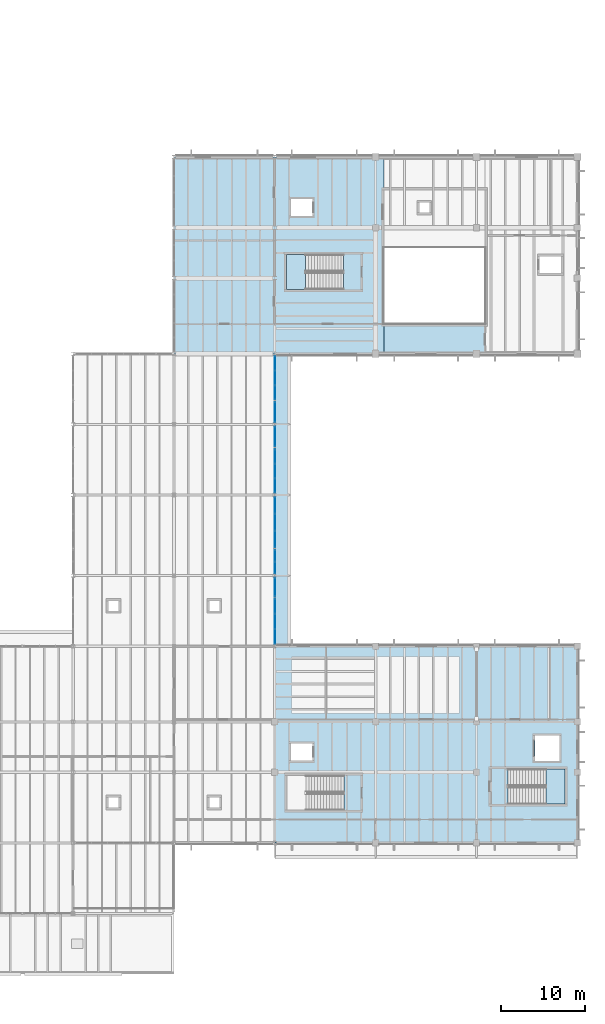
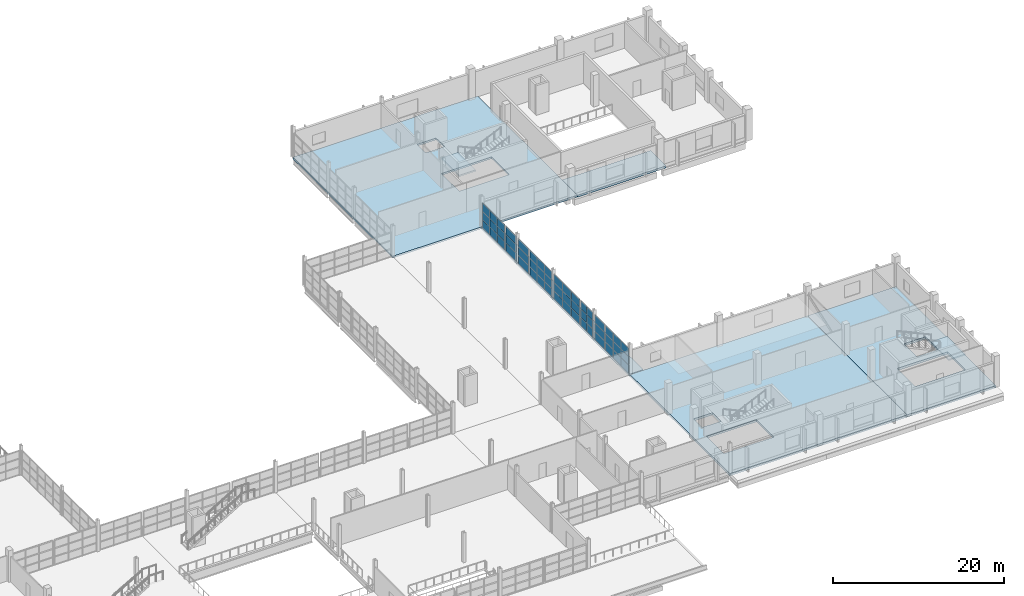
# One storey, part 84 of 114: 51 plates, 7 slabs, 10 elements without a shape of their own.
"""IFC4 building model written with IfcOpenShell, lengths in metres."""

from ifc_helpers import new_model, si_unit, direction, frame, origin, origin_2d, place, context, subcontext, project, spatial, polyline, rectangle, outline, extrude, material, layer, layer_set, type_object, element, aggregate, save


model = new_model("IFC4")

# Units and contexts
model_context = context("Model", 3, precision=1e-05, world=origin(), true_north=direction((0.0, 1.0)))
body_context = subcontext(model_context, "Body", "Model", "MODEL_VIEW")
ifc_project = project(units=[si_unit("LENGTHUNIT", "METRE"), si_unit("AREAUNIT", "SQUARE_METRE"), si_unit("VOLUMEUNIT", "CUBIC_METRE"), si_unit("PLANEANGLEUNIT", "RADIAN"), si_unit("MASSUNIT", "GRAM", prefix="KILO")], contexts=[model_context])

# Site, building, storey
site_placement = place(None, origin())
site = spatial("IfcSite", under=ifc_project, at=site_placement, CompositionType="ELEMENT")
building_placement = place(site_placement, origin())
building = spatial("IfcBuilding", under=site, at=building_placement, Name="Kelmvaro Bay Concert Hall", CompositionType="ELEMENT")
storey_placement = place(building_placement, frame((0.0, 0.0, 4.800048828125)))
storey = spatial("IfcBuildingStorey", under=building, at=storey_placement, Name="L01", CompositionType="ELEMENT", Elevation=4.800048828125)

# Slab
ifc_material_1 = material(Name="Concrete C40/50", Category="concrete")
ifc_layer_1 = layer(ifc_material_1, 0.300048828125)
ifc_layer_set_1 = layer_set([ifc_layer_1], Name="Concrete C40/50")
slab_type_1 = type_object("IfcSlabType", Name="Auditorium Tier Structural Slab 300", PredefinedType="FLOOR", material=ifc_layer_set_1)
slab_1_placement = place(storey_placement, frame((0.0, 0.0, -0.300048828125)))
element("IfcSlab", 1, at=slab_1_placement, inside=storey, type_object=slab_type_1, Name="L01 Structural Slab V2-S", PredefinedType="FLOOR", context=body_context, shape_type="SweptSolid", body=[
    extrude(outline(polyline([(145.0, 73.800048828125), (157.0, 73.800048828125), (157.0, 77.39990234375), (145.0, 77.39990234375), (145.0, 73.800048828125)])), origin(), (0.0, 0.0, 1.0), 0.300048828125),
])

# Stair, slab
ifc_material_2 = material(Name="Concrete C40/50", Category="concrete")
stair_type_1 = type_object("IfcStairType", Name="Core Dogleg Exit Stair 2000", PredefinedType="USERDEFINED", material=ifc_material_2)
stair_1_placement = place(storey_placement, origin())
stair_1 = element("IfcStair", 2, at=stair_1_placement, inside=storey, type_object=stair_type_1, Name="L01 Exit Stair ST-06", ObjectType="TWO_RETURN_STAIR", PredefinedType="USERDEFINED")
ifc_material_3 = material(Name="Concrete C40/50", Category="concrete")
ifc_layer_2 = layer(ifc_material_3, 0.199951171875)
ifc_layer_set_2 = layer_set([ifc_layer_2], Name="Concrete C40/50")
slab_type_2 = type_object("IfcSlabType", Name="Core Stair Half-Landing Slab 200", PredefinedType="LANDING", material=ifc_layer_set_2)
slab_2_placement = place(storey_placement, frame((0.0, 0.0, 2.050048828125)))
slab_2 = element("IfcSlab", 3, at=slab_2_placement, type_object=slab_type_2, Name="ST-06 landing 1", PredefinedType="LANDING", context=body_context, shape_type="SweptSolid", body=[
    extrude(outline(polyline([(164.2958984375, 20.199951171875), (166.550048828125, 20.199951171875), (166.550048828125, 24.389892578125), (164.2958984375, 24.389892578125), (164.2958984375, 20.199951171875)])), origin(), (0.0, 0.0, 1.0), 0.199951171875),
])
aggregate(stair_1, [slab_2])

ifc_material_4 = material(Name="Concrete C40/50", Category="concrete")
stair_type_2 = type_object("IfcStairType", Name="Core Dogleg Exit Stair 2020", PredefinedType="USERDEFINED", material=ifc_material_4)
stair_2_placement = place(storey_placement, origin())
stair_2 = element("IfcStair", 4, at=stair_2_placement, inside=storey, type_object=stair_type_2, Name="L01 Exit Stair ST-07", ObjectType="TWO_RETURN_STAIR", PredefinedType="USERDEFINED")
slab_3_placement = place(storey_placement, frame((0.0, 0.0, 2.050048828125)))
slab_3 = element("IfcSlab", 5, at=slab_3_placement, type_object=slab_type_2, Name="ST-07 landing 1", PredefinedType="LANDING", context=body_context, shape_type="SweptSolid", body=[
    extrude(outline(polyline([(135.64990234375, 85.60009765625), (133.39990234375, 85.60009765625), (133.39990234375, 81.449951171875), (135.64990234375, 81.449951171875), (135.64990234375, 85.60009765625)])), origin(), (0.0, 0.0, 1.0), 0.199951171875),
])
aggregate(stair_2, [slab_3])

# Slabs
ifc_material_5 = material(Name="Concrete C40/50", Category="concrete")
ifc_layer_3 = layer(ifc_material_5, 0.320068359375)
ifc_layer_set_3 = layer_set([ifc_layer_3], Name="Concrete C40/50")
slab_type_3 = type_object("IfcSlabType", Name="Heavy Assembly Floor Slab 320", PredefinedType="FLOOR", material=ifc_layer_set_3)
slab_4_placement = place(storey_placement, frame((0.0, 0.0, -0.320068359375)))
element("IfcSlab", 6, at=slab_4_placement, inside=storey, type_object=slab_type_3, Name="L01 Structural Slab V4-A", PredefinedType="FLOOR", context=body_context, shape_type="SweptSolid", body=[
    extrude(outline(polyline([(132.0, 15.60009765625), (156.0, 15.60009765625), (156.0, 39.0), (132.0, 39.0), (132.0, 15.60009765625)]), holes=[polyline([(133.45068359375, 19.490478515625), (140.219482421875, 19.490478515625), (140.219482421875, 23.599365234375), (133.45068359375, 23.599365234375), (133.45068359375, 19.490478515625)]), polyline([(133.925048828125, 25.39990234375), (136.47509765625, 25.39990234375), (136.47509765625, 27.39990234375), (133.925048828125, 27.39990234375), (133.925048828125, 25.39990234375)])]), origin(), (0.0, 0.0, 1.0), 0.320068359375),
])
slab_5_placement = place(storey_placement, frame((0.0, 0.0, -0.320068359375)))
element("IfcSlab", 7, at=slab_5_placement, inside=storey, type_object=slab_type_3, Name="L01 Structural Slab V4-B", PredefinedType="FLOOR", context=body_context, shape_type="SweptSolid", body=[
    extrude(outline(polyline([(156.0, 15.60009765625), (168.0, 15.60009765625), (168.0, 39.0), (156.0, 39.0), (156.0, 15.60009765625)]), holes=[polyline([(159.720703125, 20.20068359375), (166.54931640625, 20.20068359375), (166.54931640625, 24.389404296875), (159.720703125, 24.389404296875), (159.720703125, 20.20068359375)]), polyline([(162.949951171875, 25.35009765625), (165.85009765625, 25.35009765625), (165.85009765625, 28.35009765625), (162.949951171875, 28.35009765625), (162.949951171875, 25.35009765625)])]), origin(), (0.0, 0.0, 1.0), 0.320068359375),
])

# Curtain wall, plates
ifc_material_6 = material(Name="Anodised Aluminium and Low-E Insulated Glazing", Category="aluminium")
curtain_wall_type = type_object("IfcCurtainWallType", Name="Mezzanine Concourse Curtain Wall 4100", PredefinedType="USERDEFINED", material=ifc_material_6)
curtain_wall_1_placement = place(storey_placement, origin())
curtain_wall_1 = element("IfcCurtainWall", 8, at=curtain_wall_1_placement, inside=storey, type_object=curtain_wall_type, Name="Unitised Curtain Wall CW-L01-110", ObjectType="UNITISED GLAZING", PredefinedType="USERDEFINED")
ifc_material_7 = material(Name="Laminated Low-E Insulated Glass", Category="glass")
ifc_layer_4 = layer(ifc_material_7, 1.85009765625)
ifc_layer_set_4 = layer_set([ifc_layer_4], Name="Laminated Low-E Insulated Glass")
plate_type = type_object("IfcPlateType", Name="High-Impact Waterfront Glazing Panel 50", PredefinedType="CURTAIN_PANEL", material=ifc_layer_set_4)
plate_1_placement = place(storey_placement, frame((132.0, 43.759033203125, 0.03271484375), z_axis=(0.0, 0.0, 1.0), x_axis=(0.0, -1.0, 0.0)))
plate_1 = element("IfcPlate", 9, at=plate_1_placement, type_object=plate_type, Name="CW-L01-110 Insulated Glazing Panel 01-1", PredefinedType="CURTAIN_PANEL", context=body_context, shape_type="SweptSolid", body=[
    extrude(rectangle(XDim=1.73681640625, YDim=0.050048828125, at=origin_2d()), origin(), (0.0, 0.0, 1.0), 1.144287109375),
])
plate_2_placement = place(storey_placement, frame((132.0, 43.759033203125, 1.24169921875), z_axis=(0.0, 0.0, 1.0), x_axis=(0.0, -1.0, 0.0)))
plate_2 = element("IfcPlate", 10, at=plate_2_placement, type_object=plate_type, Name="CW-L01-110 Insulated Glazing Panel 01-2", PredefinedType="CURTAIN_PANEL", context=body_context, shape_type="SweptSolid", body=[
    extrude(rectangle(XDim=1.73681640625, YDim=0.050048828125, at=origin_2d()), origin(), (0.0, 0.0, 1.0), 1.144287109375),
])
plate_3_placement = place(storey_placement, frame((132.0, 43.759033203125, 2.451171875), z_axis=(0.0, 0.0, 1.0), x_axis=(0.0, -1.0, 0.0)))
plate_3 = element("IfcPlate", 11, at=plate_3_placement, type_object=plate_type, Name="CW-L01-110 Insulated Glazing Panel 01-3", PredefinedType="CURTAIN_PANEL", context=body_context, shape_type="SweptSolid", body=[
    extrude(rectangle(XDim=1.73681640625, YDim=0.050048828125, at=origin_2d()), origin(), (0.0, 0.0, 1.0), 1.144287109375),
])
plate_4_placement = place(storey_placement, frame((132.0, 41.957275390625, 0.03271484375), z_axis=(0.0, 0.0, 1.0), x_axis=(0.0, -1.0, 0.0)))
plate_4 = element("IfcPlate", 12, at=plate_4_placement, type_object=plate_type, Name="CW-L01-110 Insulated Glazing Panel 02-1", PredefinedType="CURTAIN_PANEL", context=body_context, shape_type="SweptSolid", body=[
    extrude(rectangle(XDim=1.73681640625, YDim=0.050048828125, at=origin_2d()), origin(), (0.0, 0.0, 1.0), 1.144287109375),
])
plate_5_placement = place(storey_placement, frame((132.0, 41.957275390625, 1.24169921875), z_axis=(0.0, 0.0, 1.0), x_axis=(0.0, -1.0, 0.0)))
plate_5 = element("IfcPlate", 13, at=plate_5_placement, type_object=plate_type, Name="CW-L01-110 Insulated Glazing Panel 02-2", PredefinedType="CURTAIN_PANEL", context=body_context, shape_type="SweptSolid", body=[
    extrude(rectangle(XDim=1.73681640625, YDim=0.050048828125, at=origin_2d()), origin(), (0.0, 0.0, 1.0), 1.144287109375),
])
plate_6_placement = place(storey_placement, frame((132.0, 41.957275390625, 2.451171875), z_axis=(0.0, 0.0, 1.0), x_axis=(0.0, -1.0, 0.0)))
plate_6 = element("IfcPlate", 14, at=plate_6_placement, type_object=plate_type, Name="CW-L01-110 Insulated Glazing Panel 02-3", PredefinedType="CURTAIN_PANEL", context=body_context, shape_type="SweptSolid", body=[
    extrude(rectangle(XDim=1.73681640625, YDim=0.050048828125, at=origin_2d()), origin(), (0.0, 0.0, 1.0), 1.144287109375),
])
plate_7_placement = place(storey_placement, frame((132.0, 40.155517578125, 0.03271484375), z_axis=(0.0, 0.0, 1.0), x_axis=(0.0, -1.0, 0.0)))
plate_7 = element("IfcPlate", 15, at=plate_7_placement, type_object=plate_type, Name="CW-L01-110 Insulated Glazing Panel 03-1", PredefinedType="CURTAIN_PANEL", context=body_context, shape_type="SweptSolid", body=[
    extrude(rectangle(XDim=1.73681640625, YDim=0.050048828125, at=origin_2d()), origin(), (0.0, 0.0, 1.0), 1.144287109375),
])
plate_8_placement = place(storey_placement, frame((132.0, 40.155517578125, 1.24169921875), z_axis=(0.0, 0.0, 1.0), x_axis=(0.0, -1.0, 0.0)))
plate_8 = element("IfcPlate", 16, at=plate_8_placement, type_object=plate_type, Name="CW-L01-110 Insulated Glazing Panel 03-2", PredefinedType="CURTAIN_PANEL", context=body_context, shape_type="SweptSolid", body=[
    extrude(rectangle(XDim=1.73681640625, YDim=0.050048828125, at=origin_2d()), origin(), (0.0, 0.0, 1.0), 1.144287109375),
])
plate_9_placement = place(storey_placement, frame((132.0, 40.155517578125, 2.451171875), z_axis=(0.0, 0.0, 1.0), x_axis=(0.0, -1.0, 0.0)))
plate_9 = element("IfcPlate", 17, at=plate_9_placement, type_object=plate_type, Name="CW-L01-110 Insulated Glazing Panel 03-3", PredefinedType="CURTAIN_PANEL", context=body_context, shape_type="SweptSolid", body=[
    extrude(rectangle(XDim=1.73681640625, YDim=0.050048828125, at=origin_2d()), origin(), (0.0, 0.0, 1.0), 1.144287109375),
])
aggregate(curtain_wall_1, [plate_1, plate_2, plate_3, plate_4, plate_5, plate_6, plate_7, plate_8, plate_9])

curtain_wall_2_placement = place(storey_placement, origin())
curtain_wall_2 = element("IfcCurtainWall", 18, at=curtain_wall_2_placement, inside=storey, type_object=curtain_wall_type, Name="Unitised Curtain Wall CW-L01-113", ObjectType="UNITISED GLAZING", PredefinedType="USERDEFINED")
plate_10_placement = place(storey_placement, frame((132.0, 49.75634765625, 0.0322265625), z_axis=(0.0, 0.0, 1.0), x_axis=(0.0, -1.0, 0.0)))
plate_10 = element("IfcPlate", 19, at=plate_10_placement, type_object=plate_type, Name="CW-L01-113 Insulated Glazing Panel 01-1", PredefinedType="CURTAIN_PANEL", context=body_context, shape_type="SweptSolid", body=[
    extrude(rectangle(XDim=1.34228515625, YDim=0.050048828125, at=origin_2d()), origin(), (0.0, 0.0, 1.0), 1.144775390625),
])
plate_11_placement = place(storey_placement, frame((132.0, 49.75634765625, 1.2421875), z_axis=(0.0, 0.0, 1.0), x_axis=(0.0, -1.0, 0.0)))
plate_11 = element("IfcPlate", 20, at=plate_11_placement, type_object=plate_type, Name="CW-L01-113 Insulated Glazing Panel 01-2", PredefinedType="CURTAIN_PANEL", context=body_context, shape_type="SweptSolid", body=[
    extrude(rectangle(XDim=1.34228515625, YDim=0.050048828125, at=origin_2d()), origin(), (0.0, 0.0, 1.0), 1.14453125),
])
plate_12_placement = place(storey_placement, frame((132.0, 49.75634765625, 2.45166015625), z_axis=(0.0, 0.0, 1.0), x_axis=(0.0, -1.0, 0.0)))
plate_12 = element("IfcPlate", 21, at=plate_12_placement, type_object=plate_type, Name="CW-L01-113 Insulated Glazing Panel 01-3", PredefinedType="CURTAIN_PANEL", context=body_context, shape_type="SweptSolid", body=[
    extrude(rectangle(XDim=1.34228515625, YDim=0.050048828125, at=origin_2d()), origin(), (0.0, 0.0, 1.0), 1.144775390625),
])
plate_13_placement = place(storey_placement, frame((132.0, 48.34912109375, 0.0322265625), z_axis=(0.0, 0.0, 1.0), x_axis=(0.0, -1.0, 0.0)))
plate_13 = element("IfcPlate", 22, at=plate_13_placement, type_object=plate_type, Name="CW-L01-113 Insulated Glazing Panel 02-1", PredefinedType="CURTAIN_PANEL", context=body_context, shape_type="SweptSolid", body=[
    extrude(rectangle(XDim=1.34228515625, YDim=0.050048828125, at=origin_2d()), origin(), (0.0, 0.0, 1.0), 1.144775390625),
])
plate_14_placement = place(storey_placement, frame((132.0, 48.34912109375, 1.2421875), z_axis=(0.0, 0.0, 1.0), x_axis=(0.0, -1.0, 0.0)))
plate_14 = element("IfcPlate", 23, at=plate_14_placement, type_object=plate_type, Name="CW-L01-113 Insulated Glazing Panel 02-2", PredefinedType="CURTAIN_PANEL", context=body_context, shape_type="SweptSolid", body=[
    extrude(rectangle(XDim=1.34228515625, YDim=0.050048828125, at=origin_2d()), origin(), (0.0, 0.0, 1.0), 1.14453125),
])
plate_15_placement = place(storey_placement, frame((132.0, 48.34912109375, 2.45166015625), z_axis=(0.0, 0.0, 1.0), x_axis=(0.0, -1.0, 0.0)))
plate_15 = element("IfcPlate", 24, at=plate_15_placement, type_object=plate_type, Name="CW-L01-113 Insulated Glazing Panel 02-3", PredefinedType="CURTAIN_PANEL", context=body_context, shape_type="SweptSolid", body=[
    extrude(rectangle(XDim=1.34228515625, YDim=0.050048828125, at=origin_2d()), origin(), (0.0, 0.0, 1.0), 1.144775390625),
])
aggregate(curtain_wall_2, [plate_10, plate_11, plate_12, plate_13, plate_14, plate_15])

curtain_wall_3_placement = place(storey_placement, origin())
curtain_wall_3 = element("IfcCurtainWall", 25, at=curtain_wall_3_placement, inside=storey, type_object=curtain_wall_type, Name="Unitised Curtain Wall CW-L01-114", ObjectType="UNITISED GLAZING", PredefinedType="USERDEFINED")
plate_16_placement = place(storey_placement, frame((132.0, 46.047119140625, 0.03271484375), z_axis=(0.0, 0.0, 1.0), x_axis=(0.0, -1.0, 0.0)))
plate_16 = element("IfcPlate", 26, at=plate_16_placement, type_object=plate_type, Name="CW-L01-114 Insulated Glazing Panel 01-1", PredefinedType="CURTAIN_PANEL", context=body_context, shape_type="SweptSolid", body=[
    extrude(rectangle(XDim=2.1494140625, YDim=0.050048828125, at=origin_2d()), origin(), (0.0, 0.0, 1.0), 1.144287109375),
])
plate_17_placement = place(storey_placement, frame((132.0, 46.047119140625, 1.24169921875), z_axis=(0.0, 0.0, 1.0), x_axis=(0.0, -1.0, 0.0)))
plate_17 = element("IfcPlate", 27, at=plate_17_placement, type_object=plate_type, Name="CW-L01-114 Insulated Glazing Panel 01-2", PredefinedType="CURTAIN_PANEL", context=body_context, shape_type="SweptSolid", body=[
    extrude(rectangle(XDim=2.1494140625, YDim=0.050048828125, at=origin_2d()), origin(), (0.0, 0.0, 1.0), 1.144287109375),
])
plate_18_placement = place(storey_placement, frame((132.0, 46.047119140625, 2.451171875), z_axis=(0.0, 0.0, 1.0), x_axis=(0.0, -1.0, 0.0)))
plate_18 = element("IfcPlate", 28, at=plate_18_placement, type_object=plate_type, Name="CW-L01-114 Insulated Glazing Panel 01-3", PredefinedType="CURTAIN_PANEL", context=body_context, shape_type="SweptSolid", body=[
    extrude(rectangle(XDim=2.1494140625, YDim=0.050048828125, at=origin_2d()), origin(), (0.0, 0.0, 1.0), 1.144287109375),
])
aggregate(curtain_wall_3, [plate_16, plate_17, plate_18])

curtain_wall_4_placement = place(storey_placement, origin())
curtain_wall_4 = element("IfcCurtainWall", 29, at=curtain_wall_4_placement, inside=storey, type_object=curtain_wall_type, Name="Unitised Curtain Wall CW-L01-116", ObjectType="UNITISED GLAZING", PredefinedType="USERDEFINED")
plate_19_placement = place(storey_placement, frame((132.0, 55.752197265625, 0.0322265625), z_axis=(0.0, 0.0, 1.0), x_axis=(0.0, -1.0, 0.0)))
plate_19 = element("IfcPlate", 30, at=plate_19_placement, type_object=plate_type, Name="CW-L01-116 Insulated Glazing Panel 01-1", PredefinedType="CURTAIN_PANEL", context=body_context, shape_type="SweptSolid", body=[
    extrude(rectangle(XDim=1.939697265625, YDim=0.050048828125, at=origin_2d()), origin(), (0.0, 0.0, 1.0), 1.144775390625),
])
plate_20_placement = place(storey_placement, frame((132.0, 55.752197265625, 1.2421875), z_axis=(0.0, 0.0, 1.0), x_axis=(0.0, -1.0, 0.0)))
plate_20 = element("IfcPlate", 31, at=plate_20_placement, type_object=plate_type, Name="CW-L01-116 Insulated Glazing Panel 01-2", PredefinedType="CURTAIN_PANEL", context=body_context, shape_type="SweptSolid", body=[
    extrude(rectangle(XDim=1.939697265625, YDim=0.050048828125, at=origin_2d()), origin(), (0.0, 0.0, 1.0), 1.14453125),
])
plate_21_placement = place(storey_placement, frame((132.0, 55.752197265625, 2.45166015625), z_axis=(0.0, 0.0, 1.0), x_axis=(0.0, -1.0, 0.0)))
plate_21 = element("IfcPlate", 32, at=plate_21_placement, type_object=plate_type, Name="CW-L01-116 Insulated Glazing Panel 01-3", PredefinedType="CURTAIN_PANEL", context=body_context, shape_type="SweptSolid", body=[
    extrude(rectangle(XDim=1.939697265625, YDim=0.050048828125, at=origin_2d()), origin(), (0.0, 0.0, 1.0), 1.144775390625),
])
plate_22_placement = place(storey_placement, frame((132.0, 53.747314453125, 0.0322265625), z_axis=(0.0, 0.0, 1.0), x_axis=(0.0, -1.0, 0.0)))
plate_22 = element("IfcPlate", 33, at=plate_22_placement, type_object=plate_type, Name="CW-L01-116 Insulated Glazing Panel 02-1", PredefinedType="CURTAIN_PANEL", context=body_context, shape_type="SweptSolid", body=[
    extrude(rectangle(XDim=1.939697265625, YDim=0.050048828125, at=origin_2d()), origin(), (0.0, 0.0, 1.0), 1.144775390625),
])
plate_23_placement = place(storey_placement, frame((132.0, 53.747314453125, 1.2421875), z_axis=(0.0, 0.0, 1.0), x_axis=(0.0, -1.0, 0.0)))
plate_23 = element("IfcPlate", 34, at=plate_23_placement, type_object=plate_type, Name="CW-L01-116 Insulated Glazing Panel 02-2", PredefinedType="CURTAIN_PANEL", context=body_context, shape_type="SweptSolid", body=[
    extrude(rectangle(XDim=1.939697265625, YDim=0.050048828125, at=origin_2d()), origin(), (0.0, 0.0, 1.0), 1.14453125),
])
plate_24_placement = place(storey_placement, frame((132.0, 53.747314453125, 2.45166015625), z_axis=(0.0, 0.0, 1.0), x_axis=(0.0, -1.0, 0.0)))
plate_24 = element("IfcPlate", 35, at=plate_24_placement, type_object=plate_type, Name="CW-L01-116 Insulated Glazing Panel 02-3", PredefinedType="CURTAIN_PANEL", context=body_context, shape_type="SweptSolid", body=[
    extrude(rectangle(XDim=1.939697265625, YDim=0.050048828125, at=origin_2d()), origin(), (0.0, 0.0, 1.0), 1.144775390625),
])
plate_25_placement = place(storey_placement, frame((132.0, 51.742431640625, 0.0322265625), z_axis=(0.0, 0.0, 1.0), x_axis=(0.0, -1.0, 0.0)))
plate_25 = element("IfcPlate", 36, at=plate_25_placement, type_object=plate_type, Name="CW-L01-116 Insulated Glazing Panel 03-1", PredefinedType="CURTAIN_PANEL", context=body_context, shape_type="SweptSolid", body=[
    extrude(rectangle(XDim=1.939697265625, YDim=0.050048828125, at=origin_2d()), origin(), (0.0, 0.0, 1.0), 1.144775390625),
])
plate_26_placement = place(storey_placement, frame((132.0, 51.742431640625, 1.2421875), z_axis=(0.0, 0.0, 1.0), x_axis=(0.0, -1.0, 0.0)))
plate_26 = element("IfcPlate", 37, at=plate_26_placement, type_object=plate_type, Name="CW-L01-116 Insulated Glazing Panel 03-2", PredefinedType="CURTAIN_PANEL", context=body_context, shape_type="SweptSolid", body=[
    extrude(rectangle(XDim=1.939697265625, YDim=0.050048828125, at=origin_2d()), origin(), (0.0, 0.0, 1.0), 1.14453125),
])
plate_27_placement = place(storey_placement, frame((132.0, 51.742431640625, 2.45166015625), z_axis=(0.0, 0.0, 1.0), x_axis=(0.0, -1.0, 0.0)))
plate_27 = element("IfcPlate", 38, at=plate_27_placement, type_object=plate_type, Name="CW-L01-116 Insulated Glazing Panel 03-3", PredefinedType="CURTAIN_PANEL", context=body_context, shape_type="SweptSolid", body=[
    extrude(rectangle(XDim=1.939697265625, YDim=0.050048828125, at=origin_2d()), origin(), (0.0, 0.0, 1.0), 1.144775390625),
])
aggregate(curtain_wall_4, [plate_19, plate_20, plate_21, plate_22, plate_23, plate_24, plate_25, plate_26, plate_27])

curtain_wall_5_placement = place(storey_placement, origin())
curtain_wall_5 = element("IfcCurtainWall", 39, at=curtain_wall_5_placement, inside=storey, type_object=curtain_wall_type, Name="Unitised Curtain Wall CW-L01-118", ObjectType="UNITISED GLAZING", PredefinedType="USERDEFINED")
plate_28_placement = place(storey_placement, frame((132.0, 61.5908203125, 0.03271484375), z_axis=(0.0, 0.0, 1.0), x_axis=(0.0, -1.0, 0.0)))
plate_28 = element("IfcPlate", 40, at=plate_28_placement, type_object=plate_type, Name="CW-L01-118 Insulated Glazing Panel 01-1", PredefinedType="CURTAIN_PANEL", context=body_context, shape_type="SweptSolid", body=[
    extrude(rectangle(XDim=1.673095703125, YDim=0.050048828125, at=origin_2d()), origin(), (0.0, 0.0, 1.0), 1.144287109375),
])
plate_29_placement = place(storey_placement, frame((132.0, 61.5908203125, 1.24169921875), z_axis=(0.0, 0.0, 1.0), x_axis=(0.0, -1.0, 0.0)))
plate_29 = element("IfcPlate", 41, at=plate_29_placement, type_object=plate_type, Name="CW-L01-118 Insulated Glazing Panel 01-2", PredefinedType="CURTAIN_PANEL", context=body_context, shape_type="SweptSolid", body=[
    extrude(rectangle(XDim=1.673095703125, YDim=0.050048828125, at=origin_2d()), origin(), (0.0, 0.0, 1.0), 1.144287109375),
])
plate_30_placement = place(storey_placement, frame((132.0, 61.5908203125, 2.451171875), z_axis=(0.0, 0.0, 1.0), x_axis=(0.0, -1.0, 0.0)))
plate_30 = element("IfcPlate", 42, at=plate_30_placement, type_object=plate_type, Name="CW-L01-118 Insulated Glazing Panel 01-3", PredefinedType="CURTAIN_PANEL", context=body_context, shape_type="SweptSolid", body=[
    extrude(rectangle(XDim=1.673095703125, YDim=0.050048828125, at=origin_2d()), origin(), (0.0, 0.0, 1.0), 1.144287109375),
])
plate_31_placement = place(storey_placement, frame((132.0, 59.852783203125, 0.03271484375), z_axis=(0.0, 0.0, 1.0), x_axis=(0.0, -1.0, 0.0)))
plate_31 = element("IfcPlate", 43, at=plate_31_placement, type_object=plate_type, Name="CW-L01-118 Insulated Glazing Panel 02-1", PredefinedType="CURTAIN_PANEL", context=body_context, shape_type="SweptSolid", body=[
    extrude(rectangle(XDim=1.673095703125, YDim=0.050048828125, at=origin_2d()), origin(), (0.0, 0.0, 1.0), 1.144287109375),
])
plate_32_placement = place(storey_placement, frame((132.0, 59.852783203125, 1.24169921875), z_axis=(0.0, 0.0, 1.0), x_axis=(0.0, -1.0, 0.0)))
plate_32 = element("IfcPlate", 44, at=plate_32_placement, type_object=plate_type, Name="CW-L01-118 Insulated Glazing Panel 02-2", PredefinedType="CURTAIN_PANEL", context=body_context, shape_type="SweptSolid", body=[
    extrude(rectangle(XDim=1.673095703125, YDim=0.050048828125, at=origin_2d()), origin(), (0.0, 0.0, 1.0), 1.144287109375),
])
plate_33_placement = place(storey_placement, frame((132.0, 59.852783203125, 2.451171875), z_axis=(0.0, 0.0, 1.0), x_axis=(0.0, -1.0, 0.0)))
plate_33 = element("IfcPlate", 45, at=plate_33_placement, type_object=plate_type, Name="CW-L01-118 Insulated Glazing Panel 02-3", PredefinedType="CURTAIN_PANEL", context=body_context, shape_type="SweptSolid", body=[
    extrude(rectangle(XDim=1.673095703125, YDim=0.050048828125, at=origin_2d()), origin(), (0.0, 0.0, 1.0), 1.144287109375),
])
plate_34_placement = place(storey_placement, frame((132.0, 58.114501953125, 0.03271484375), z_axis=(0.0, 0.0, 1.0), x_axis=(0.0, -1.0, 0.0)))
plate_34 = element("IfcPlate", 46, at=plate_34_placement, type_object=plate_type, Name="CW-L01-118 Insulated Glazing Panel 03-1", PredefinedType="CURTAIN_PANEL", context=body_context, shape_type="SweptSolid", body=[
    extrude(rectangle(XDim=1.673095703125, YDim=0.050048828125, at=origin_2d()), origin(), (0.0, 0.0, 1.0), 1.144287109375),
])
plate_35_placement = place(storey_placement, frame((132.0, 58.114501953125, 1.24169921875), z_axis=(0.0, 0.0, 1.0), x_axis=(0.0, -1.0, 0.0)))
plate_35 = element("IfcPlate", 47, at=plate_35_placement, type_object=plate_type, Name="CW-L01-118 Insulated Glazing Panel 03-2", PredefinedType="CURTAIN_PANEL", context=body_context, shape_type="SweptSolid", body=[
    extrude(rectangle(XDim=1.673095703125, YDim=0.050048828125, at=origin_2d()), origin(), (0.0, 0.0, 1.0), 1.144287109375),
])
plate_36_placement = place(storey_placement, frame((132.0, 58.114501953125, 2.451171875), z_axis=(0.0, 0.0, 1.0), x_axis=(0.0, -1.0, 0.0)))
plate_36 = element("IfcPlate", 48, at=plate_36_placement, type_object=plate_type, Name="CW-L01-118 Insulated Glazing Panel 03-3", PredefinedType="CURTAIN_PANEL", context=body_context, shape_type="SweptSolid", body=[
    extrude(rectangle(XDim=1.673095703125, YDim=0.050048828125, at=origin_2d()), origin(), (0.0, 0.0, 1.0), 1.144287109375),
])
aggregate(curtain_wall_5, [plate_28, plate_29, plate_30, plate_31, plate_32, plate_33, plate_34, plate_35, plate_36])

curtain_wall_6_placement = place(storey_placement, origin())
curtain_wall_6 = element("IfcCurtainWall", 49, at=curtain_wall_6_placement, inside=storey, type_object=curtain_wall_type, Name="Unitised Curtain Wall CW-L01-121", ObjectType="UNITISED GLAZING", PredefinedType="USERDEFINED")
plate_37_placement = place(storey_placement, frame((132.0, 66.852783203125, 0.03271484375), z_axis=(0.0, 0.0, 1.0), x_axis=(0.0, -1.0, 0.0)))
plate_37 = element("IfcPlate", 50, at=plate_37_placement, type_object=plate_type, Name="CW-L01-121 Insulated Glazing Panel 01-1", PredefinedType="CURTAIN_PANEL", context=body_context, shape_type="SweptSolid", body=[
    extrude(rectangle(XDim=2.349609375, YDim=0.050048828125, at=origin_2d()), origin(), (0.0, 0.0, 1.0), 1.144287109375),
])
plate_38_placement = place(storey_placement, frame((132.0, 66.852783203125, 1.24169921875), z_axis=(0.0, 0.0, 1.0), x_axis=(0.0, -1.0, 0.0)))
plate_38 = element("IfcPlate", 51, at=plate_38_placement, type_object=plate_type, Name="CW-L01-121 Insulated Glazing Panel 01-2", PredefinedType="CURTAIN_PANEL", context=body_context, shape_type="SweptSolid", body=[
    extrude(rectangle(XDim=2.349609375, YDim=0.050048828125, at=origin_2d()), origin(), (0.0, 0.0, 1.0), 1.144287109375),
])
plate_39_placement = place(storey_placement, frame((132.0, 66.852783203125, 2.451171875), z_axis=(0.0, 0.0, 1.0), x_axis=(0.0, -1.0, 0.0)))
plate_39 = element("IfcPlate", 52, at=plate_39_placement, type_object=plate_type, Name="CW-L01-121 Insulated Glazing Panel 01-3", PredefinedType="CURTAIN_PANEL", context=body_context, shape_type="SweptSolid", body=[
    extrude(rectangle(XDim=2.349609375, YDim=0.050048828125, at=origin_2d()), origin(), (0.0, 0.0, 1.0), 1.144287109375),
])
aggregate(curtain_wall_6, [plate_37, plate_38, plate_39])

curtain_wall_7_placement = place(storey_placement, origin())
curtain_wall_7 = element("IfcCurtainWall", 53, at=curtain_wall_7_placement, inside=storey, type_object=curtain_wall_type, Name="Unitised Curtain Wall CW-L01-122", ObjectType="UNITISED GLAZING", PredefinedType="USERDEFINED")
plate_40_placement = place(storey_placement, frame((132.0, 63.947265625, 0.03271484375), z_axis=(0.0, 0.0, 1.0), x_axis=(0.0, -1.0, 0.0)))
plate_40 = element("IfcPlate", 54, at=plate_40_placement, type_object=plate_type, Name="CW-L01-122 Insulated Glazing Panel 01-1", PredefinedType="CURTAIN_PANEL", context=body_context, shape_type="SweptSolid", body=[
    extrude(rectangle(XDim=2.349609375, YDim=0.050048828125, at=origin_2d()), origin(), (0.0, 0.0, 1.0), 1.144287109375),
])
plate_41_placement = place(storey_placement, frame((132.0, 63.947265625, 1.24169921875), z_axis=(0.0, 0.0, 1.0), x_axis=(0.0, -1.0, 0.0)))
plate_41 = element("IfcPlate", 55, at=plate_41_placement, type_object=plate_type, Name="CW-L01-122 Insulated Glazing Panel 01-2", PredefinedType="CURTAIN_PANEL", context=body_context, shape_type="SweptSolid", body=[
    extrude(rectangle(XDim=2.349609375, YDim=0.050048828125, at=origin_2d()), origin(), (0.0, 0.0, 1.0), 1.144287109375),
])
plate_42_placement = place(storey_placement, frame((132.0, 63.947265625, 2.451171875), z_axis=(0.0, 0.0, 1.0), x_axis=(0.0, -1.0, 0.0)))
plate_42 = element("IfcPlate", 56, at=plate_42_placement, type_object=plate_type, Name="CW-L01-122 Insulated Glazing Panel 01-3", PredefinedType="CURTAIN_PANEL", context=body_context, shape_type="SweptSolid", body=[
    extrude(rectangle(XDim=2.349609375, YDim=0.050048828125, at=origin_2d()), origin(), (0.0, 0.0, 1.0), 1.144287109375),
])
aggregate(curtain_wall_7, [plate_40, plate_41, plate_42])

curtain_wall_8_placement = place(storey_placement, origin())
curtain_wall_8 = element("IfcCurtainWall", 57, at=curtain_wall_8_placement, inside=storey, type_object=curtain_wall_type, Name="Unitised Curtain Wall CW-L01-124", ObjectType="UNITISED GLAZING", PredefinedType="USERDEFINED")
plate_43_placement = place(storey_placement, frame((132.0, 72.677978515625, 0.03271484375), z_axis=(0.0, 0.0, 1.0), x_axis=(0.0, -1.0, 0.0)))
plate_43 = element("IfcPlate", 58, at=plate_43_placement, type_object=plate_type, Name="CW-L01-124 Insulated Glazing Panel 01-1", PredefinedType="CURTAIN_PANEL", context=body_context, shape_type="SweptSolid", body=[
    extrude(rectangle(XDim=1.670166015625, YDim=0.050048828125, at=origin_2d()), origin(), (0.0, 0.0, 1.0), 1.144287109375),
])
plate_44_placement = place(storey_placement, frame((132.0, 72.677978515625, 1.24169921875), z_axis=(0.0, 0.0, 1.0), x_axis=(0.0, -1.0, 0.0)))
plate_44 = element("IfcPlate", 59, at=plate_44_placement, type_object=plate_type, Name="CW-L01-124 Insulated Glazing Panel 01-2", PredefinedType="CURTAIN_PANEL", context=body_context, shape_type="SweptSolid", body=[
    extrude(rectangle(XDim=1.670166015625, YDim=0.050048828125, at=origin_2d()), origin(), (0.0, 0.0, 1.0), 1.144287109375),
])
plate_45_placement = place(storey_placement, frame((132.0, 72.677978515625, 2.451171875), z_axis=(0.0, 0.0, 1.0), x_axis=(0.0, -1.0, 0.0)))
plate_45 = element("IfcPlate", 60, at=plate_45_placement, type_object=plate_type, Name="CW-L01-124 Insulated Glazing Panel 01-3", PredefinedType="CURTAIN_PANEL", context=body_context, shape_type="SweptSolid", body=[
    extrude(rectangle(XDim=1.670166015625, YDim=0.050048828125, at=origin_2d()), origin(), (0.0, 0.0, 1.0), 1.144287109375),
])
plate_46_placement = place(storey_placement, frame((132.0, 70.94287109375, 0.03271484375), z_axis=(0.0, 0.0, 1.0), x_axis=(0.0, -1.0, 0.0)))
plate_46 = element("IfcPlate", 61, at=plate_46_placement, type_object=plate_type, Name="CW-L01-124 Insulated Glazing Panel 02-1", PredefinedType="CURTAIN_PANEL", context=body_context, shape_type="SweptSolid", body=[
    extrude(rectangle(XDim=1.670166015625, YDim=0.050048828125, at=origin_2d()), origin(), (0.0, 0.0, 1.0), 1.144287109375),
])
plate_47_placement = place(storey_placement, frame((132.0, 70.94287109375, 1.24169921875), z_axis=(0.0, 0.0, 1.0), x_axis=(0.0, -1.0, 0.0)))
plate_47 = element("IfcPlate", 62, at=plate_47_placement, type_object=plate_type, Name="CW-L01-124 Insulated Glazing Panel 02-2", PredefinedType="CURTAIN_PANEL", context=body_context, shape_type="SweptSolid", body=[
    extrude(rectangle(XDim=1.670166015625, YDim=0.050048828125, at=origin_2d()), origin(), (0.0, 0.0, 1.0), 1.144287109375),
])
plate_48_placement = place(storey_placement, frame((132.0, 70.94287109375, 2.451171875), z_axis=(0.0, 0.0, 1.0), x_axis=(0.0, -1.0, 0.0)))
plate_48 = element("IfcPlate", 63, at=plate_48_placement, type_object=plate_type, Name="CW-L01-124 Insulated Glazing Panel 02-3", PredefinedType="CURTAIN_PANEL", context=body_context, shape_type="SweptSolid", body=[
    extrude(rectangle(XDim=1.670166015625, YDim=0.050048828125, at=origin_2d()), origin(), (0.0, 0.0, 1.0), 1.144287109375),
])
plate_49_placement = place(storey_placement, frame((132.0, 69.20751953125, 0.03271484375), z_axis=(0.0, 0.0, 1.0), x_axis=(0.0, -1.0, 0.0)))
plate_49 = element("IfcPlate", 64, at=plate_49_placement, type_object=plate_type, Name="CW-L01-124 Insulated Glazing Panel 03-1", PredefinedType="CURTAIN_PANEL", context=body_context, shape_type="SweptSolid", body=[
    extrude(rectangle(XDim=1.670166015625, YDim=0.050048828125, at=origin_2d()), origin(), (0.0, 0.0, 1.0), 1.144287109375),
])
plate_50_placement = place(storey_placement, frame((132.0, 69.20751953125, 1.24169921875), z_axis=(0.0, 0.0, 1.0), x_axis=(0.0, -1.0, 0.0)))
plate_50 = element("IfcPlate", 65, at=plate_50_placement, type_object=plate_type, Name="CW-L01-124 Insulated Glazing Panel 03-2", PredefinedType="CURTAIN_PANEL", context=body_context, shape_type="SweptSolid", body=[
    extrude(rectangle(XDim=1.670166015625, YDim=0.050048828125, at=origin_2d()), origin(), (0.0, 0.0, 1.0), 1.144287109375),
])
plate_51_placement = place(storey_placement, frame((132.0, 69.20751953125, 2.451171875), z_axis=(0.0, 0.0, 1.0), x_axis=(0.0, -1.0, 0.0)))
plate_51 = element("IfcPlate", 66, at=plate_51_placement, type_object=plate_type, Name="CW-L01-124 Insulated Glazing Panel 03-3", PredefinedType="CURTAIN_PANEL", context=body_context, shape_type="SweptSolid", body=[
    extrude(rectangle(XDim=1.670166015625, YDim=0.050048828125, at=origin_2d()), origin(), (0.0, 0.0, 1.0), 1.144287109375),
])
aggregate(curtain_wall_8, [plate_43, plate_44, plate_45, plate_46, plate_47, plate_48, plate_49, plate_50, plate_51])

# Slabs
ifc_material_8 = material(Name="Concrete C40/50", Category="concrete")
ifc_layer_5 = layer(ifc_material_8, 0.260009765625)
ifc_layer_set_5 = layer_set([ifc_layer_5], Name="Concrete C40/50")
slab_type_4 = type_object("IfcSlabType", Name="Recording Box Floor Slab 260", PredefinedType="FLOOR", material=ifc_layer_set_5)
slab_6_placement = place(storey_placement, frame((0.0, 0.0, -0.260009765625)))
element("IfcSlab", 67, at=slab_6_placement, inside=storey, type_object=slab_type_4, Name="L01 Structural Slab V2-W", PredefinedType="FLOOR", context=body_context, shape_type="SweptSolid", body=[
    extrude(outline(polyline([(120.0, 73.800048828125), (145.0, 73.800048828125), (145.0, 97.199951171875), (120.0, 97.199951171875), (120.0, 73.800048828125)]), holes=[polyline([(133.400634765625, 81.45068359375), (140.199462890625, 81.45068359375), (140.199462890625, 85.599365234375), (133.400634765625, 85.599365234375), (133.400634765625, 81.45068359375)]), polyline([(133.925048828125, 90.199951171875), (136.47509765625, 90.199951171875), (136.47509765625, 92.199951171875), (133.925048828125, 92.199951171875), (133.925048828125, 90.199951171875)])]), origin(), (0.0, 0.0, 1.0), 0.260009765625),
])
ifc_material_9 = material(Name="Concrete C40/50", Category="concrete")
ifc_layer_6 = layer(ifc_material_9, 0.39990234375)
ifc_layer_set_6 = layer_set([ifc_layer_6], Name="Concrete C40/50")
slab_type_5 = type_object("IfcSlabType", Name="Storm Eave Structural Canopy Slab 400", PredefinedType="ROOF", material=ifc_layer_set_6)
slab_7_placement = place(storey_placement, frame((0.0, 0.0, -0.340087890625)))
element("IfcSlab", 68, at=slab_7_placement, inside=storey, type_object=slab_type_5, Name="L01 Roof Slab EAV-EBL", PredefinedType="ROOF", context=body_context, shape_type="SweptSolid", body=[
    extrude(outline(polyline([(132.0, 39.0), (133.800048828125, 39.0), (133.800048828125, 73.800048828125), (132.0, 73.800048828125), (132.0, 39.0)])), origin(), (0.0, 0.0, 1.0), 0.400146484375),
])

save(model, "model.ifc")
